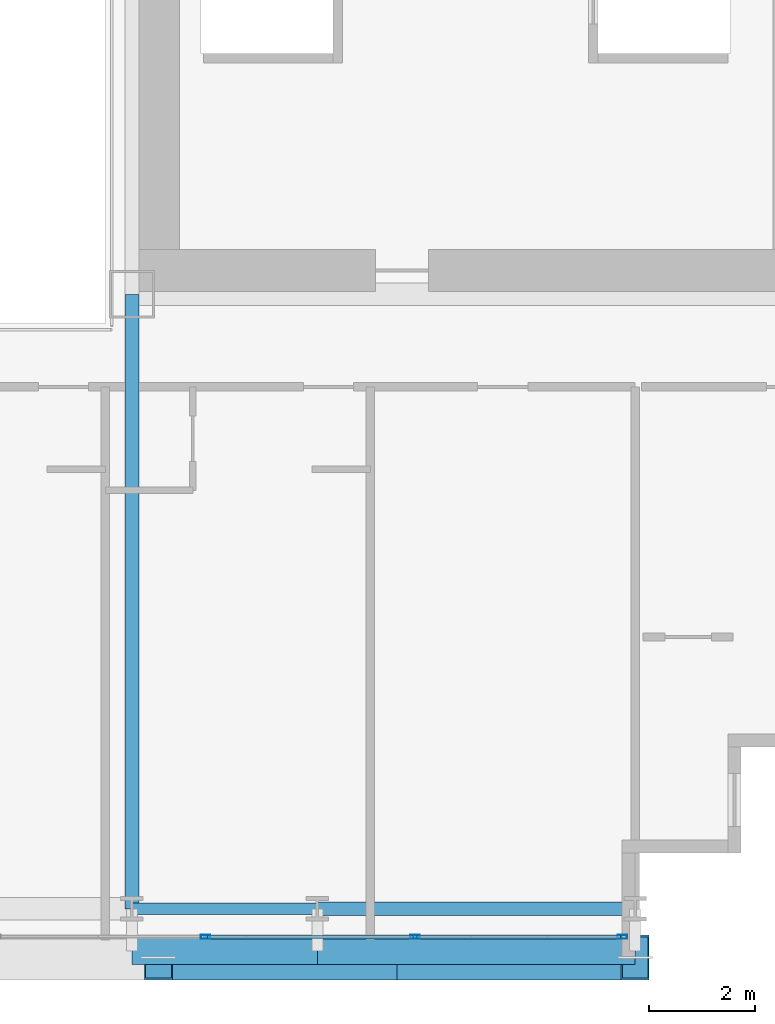
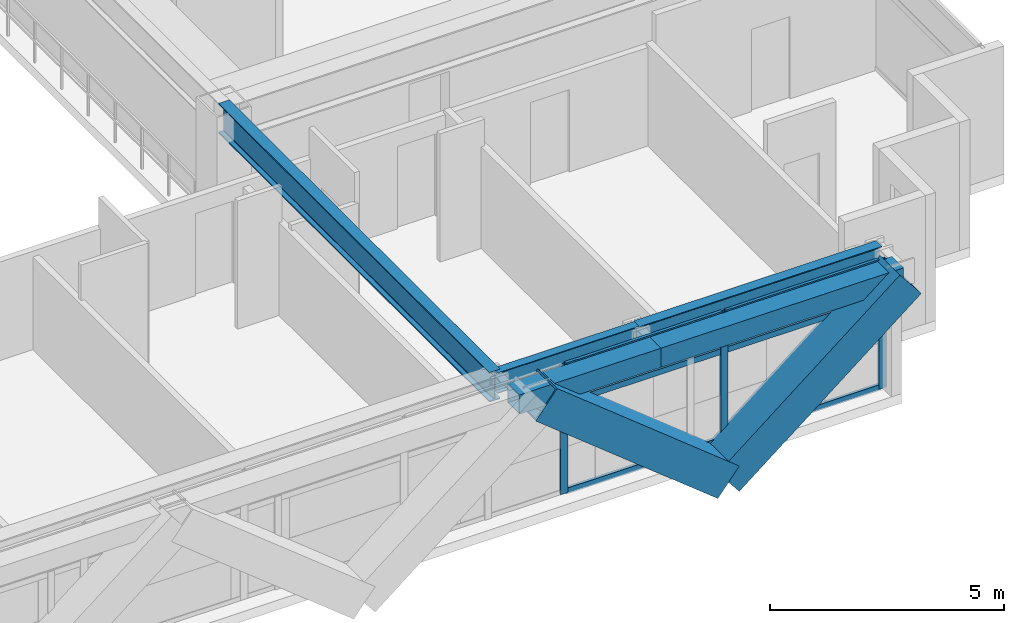
# One storey, part 10 of 38: 11 members, 5 beams, 1 element without a shape of its own.
"""IFC4 building model written with IfcOpenShell, lengths in metres."""

from ifc_helpers import new_model, si_unit, direction, frame, origin, origin_2d, place, context, subcontext, project, spatial, hollow_rectangle, i_section, extrude, source, transform, mapped, material, layer, layer_set, material_profile, profile_set, type_object, element, aggregate, save


model = new_model("IFC4")

# Units and contexts
model_context = context("Model", 3, precision=1e-05, world=origin(), true_north=direction((0.0, 1.0)))
body_context = subcontext(model_context, "Body", "Model", "MODEL_VIEW")
ifc_project = project(units=[si_unit("LENGTHUNIT", "METRE"), si_unit("AREAUNIT", "SQUARE_METRE"), si_unit("VOLUMEUNIT", "CUBIC_METRE"), si_unit("PLANEANGLEUNIT", "RADIAN"), si_unit("MASSUNIT", "GRAM", prefix="KILO")], contexts=[model_context])

# Site, building, storey
site_placement = place(None, origin())
site = spatial("IfcSite", under=ifc_project, at=site_placement, CompositionType="ELEMENT")
building_placement = place(site_placement, origin())
building = spatial("IfcBuilding", under=site, at=building_placement, Name="Ocotamira Hotel", CompositionType="ELEMENT")
storey_placement = place(building_placement, frame((0.0, 0.0, 74.39990234375)))
storey = spatial("IfcBuildingStorey", under=building, at=storey_placement, Name="L18", CompositionType="ELEMENT", Elevation=74.39990234375)

# Beams
ifc_material_1 = material(Name="Steel ASTM A992 Grade 50", Category="steel")
ifc_material_profile_1 = material_profile(ifc_material_1, i_section(OverallWidth=0.256103515625, OverallDepth=0.693115234375, WebThickness=0.014404296875, FlangeThickness=0.023681640625, FilletRadius=0.01611328125, at=origin_2d()), Name="W27X114")
ifc_profile_set_1 = profile_set([ifc_material_profile_1], Name="Steel ASTM A992 Grade 50")
beam_type_1 = type_object("IfcBeamType", Name="BM-PRIM-W27X114", PredefinedType="BEAM", material=ifc_profile_set_1)
shared_shape_1 = source(origin(), body_context, "Body", "SweptSolid", [
    extrude(i_section(OverallWidth=0.256103515625, OverallDepth=0.693115234375, WebThickness=0.014404296875, FlangeThickness=0.023681640625, FilletRadius=0.01611328125, at=origin_2d()), origin(), (0.0, 0.0, 1.0), 6.0),
])
beam_1_placement = place(storey_placement, frame((44.0, 2.949951171875, 3.003662109375), z_axis=(1.0, 0.0, 0.0), x_axis=(0.0, 1.0, 0.0)))
element("IfcBeam", 1, at=beam_1_placement, inside=storey, type_object=beam_type_1, Name="L18 Girder Y2.95 X44-50", PredefinedType="BEAM", context=body_context, shape_type="MappedRepresentation", body=[
    mapped(shared_shape_1, transform((0.0, 0.0, 0.0), scale=1.0)),
])
ifc_material_profile_2 = material_profile(ifc_material_1, i_section(OverallWidth=0.2099609375, OverallDepth=0.537109375, WebThickness=0.010986328125, FlangeThickness=0.017333984375, FilletRadius=0.012939453125, at=origin_2d()), Name="W21X68")
ifc_profile_set_2 = profile_set([ifc_material_profile_2], Name="Steel ASTM A992 Grade 50")
beam_type_2 = type_object("IfcBeamType", Name="BM-SEC-W21X68", PredefinedType="JOIST", material=ifc_profile_set_2)
shared_shape_2 = source(origin(), body_context, "Body", "SweptSolid", [
    extrude(i_section(OverallWidth=0.2099609375, OverallDepth=0.537109375, WebThickness=0.010986328125, FlangeThickness=0.017333984375, FilletRadius=0.012939453125, at=origin_2d()), origin(), (0.0, 0.0, 1.0), 3.5),
])
beam_2_placement = place(storey_placement, frame((40.5, 2.949951171875, 3.08154296875), z_axis=(1.0, 0.0, 0.0), x_axis=(0.0, 1.0, 0.0)))
element("IfcBeam", 2, at=beam_2_placement, inside=storey, type_object=beam_type_2, Name="L18 Girder Y2.95 X40.5-44", PredefinedType="JOIST", context=body_context, shape_type="MappedRepresentation", body=[
    mapped(shared_shape_2, transform((0.0, 0.0, 0.0), scale=1.0)),
])
ifc_material_profile_3 = material_profile(ifc_material_1, i_section(OverallWidth=0.26611328125, OverallDepth=0.779052734375, WebThickness=0.0166015625, FlangeThickness=0.030029296875, FilletRadius=0.01806640625, at=origin_2d()), Name="W30X148")
ifc_profile_set_3 = profile_set([ifc_material_profile_3], Name="Steel ASTM A992 Grade 50")
beam_type_3 = type_object("IfcBeamType", Name="BM-GIRD-W30X148", PredefinedType="BEAM", material=ifc_profile_set_3)
shared_shape_3 = source(origin(), body_context, "Body", "SweptSolid", [
    extrude(i_section(OverallWidth=0.26611328125, OverallDepth=0.779052734375, WebThickness=0.0166015625, FlangeThickness=0.030029296875, FilletRadius=0.01806640625, at=origin_2d()), origin(), (0.0, 0.0, 1.0), 11.60009765625),
])
beam_3_placement = place(storey_placement, frame((40.5, 2.949951171875, 2.960693359375), z_axis=(0.0, 1.0, 0.0), x_axis=(-1.0, 0.0, 0.0)))
element("IfcBeam", 3, at=beam_3_placement, inside=storey, type_object=beam_type_3, Name="L18 Beam X40.5 Y2.95-14.55", PredefinedType="BEAM", context=body_context, shape_type="MappedRepresentation", body=[
    mapped(shared_shape_3, transform((0.0, 0.0, 0.0), scale=1.0)),
])
ifc_material_2 = material(Name="Steel ASTM A500 Grade C", Category="steel")
ifc_material_profile_4 = material_profile(ifc_material_2, hollow_rectangle(XDim=0.5, YDim=0.5, WallThickness=0.02001953125, at=origin_2d()), Name="HSS500X500X20")
ifc_profile_set_4 = profile_set([ifc_material_profile_4], Name="Steel ASTM A500 Grade C")
beam_type_4 = type_object("IfcBeamType", Name="BM-SPAN-HSS500", PredefinedType="USERDEFINED", material=ifc_profile_set_4)
shared_shape_4 = source(origin(), body_context, "Body", "SweptSolid", [
    extrude(hollow_rectangle(XDim=0.5, YDim=0.5, WallThickness=0.02001953125, at=origin_2d()), origin(), (0.0, 0.0, 1.0), 6.0),
])
beam_4_placement = place(storey_placement, frame((44.0, 2.14990234375, 3.10009765625), z_axis=(1.0, 0.0, 0.0), x_axis=(0.0, 1.0, 0.0)))
element("IfcBeam", 4, at=beam_4_placement, inside=storey, type_object=beam_type_4, Name="L18 Edge Spandrel S X44-50", ObjectType="SPANDREL", PredefinedType="USERDEFINED", context=body_context, shape_type="MappedRepresentation", body=[
    mapped(shared_shape_4, transform((0.0, 0.0, 0.0), scale=1.0)),
])
shared_shape_5 = source(origin(), body_context, "Body", "SweptSolid", [
    extrude(hollow_rectangle(XDim=0.5, YDim=0.5, WallThickness=0.02001953125, at=origin_2d()), origin(), (0.0, 0.0, 1.0), 3.5),
])
beam_5_placement = place(storey_placement, frame((40.5, 2.14990234375, 3.10009765625), z_axis=(1.0, 0.0, 0.0), x_axis=(0.0, 1.0, 0.0)))
element("IfcBeam", 5, at=beam_5_placement, inside=storey, type_object=beam_type_4, Name="L18 Edge Spandrel S X40.5-44", ObjectType="SPANDREL", PredefinedType="USERDEFINED", context=body_context, shape_type="MappedRepresentation", body=[
    mapped(shared_shape_5, transform((0.0, 0.0, 0.0), scale=1.0)),
])

# Members
ifc_material_3 = material(Name="Pale-metal coated steel ASTM A913 Grade 65", Category="steel")
ifc_material_profile_5 = material_profile(ifc_material_3, hollow_rectangle(XDim=0.85009765625, YDim=0.85009765625, WallThickness=0.035888671875, at=origin_2d()), Name="BOX850X850X36")
ifc_profile_set_5 = profile_set([ifc_material_profile_5], Name="Pale-metal coated steel ASTM A913 Grade 65")
member_type_1 = type_object("IfcMemberType", Name="MEM-EXO-BOX850", PredefinedType="BRACE", material=ifc_profile_set_5)
shared_shape_6 = source(origin(), body_context, "Body", "SweptSolid", [
    extrude(hollow_rectangle(XDim=0.85009765625, YDim=0.85009765625, WallThickness=0.035888671875, at=origin_2d()), origin(), (0.0, 0.0, 1.0), 5.762939453125),
])
for number, where, z_axis, x_axis, name in (
    (6, (45.5, 2.030029296875, -0.5), (-0.780860543151, 0.0, 0.624705380279), (0.0, -1.0, 0.0), "L18 Exoskeleton Diagrid S3.1"),
    (7, (45.5, 2.030029296875, -0.5), (0.780860543151, 0.0, 0.624705380279), (0.0, 1.0, 0.0), "L18 Exoskeleton Diagrid S3.2"),
):
    element("IfcMember", number, at=place(storey_placement, frame(where, z_axis=z_axis, x_axis=x_axis)), inside=storey, type_object=member_type_1, Name=name, PredefinedType="BRACE", context=body_context, shape_type="MappedRepresentation", body=[
        mapped(shared_shape_6, transform((0.0, 0.0, 0.0), scale=1.0)),
    ])

# Curtain wall, members
ifc_material_4 = material(Name="Anodised pale-metal aluminium and solar glass", Category="aluminium")
ifc_layer = layer(ifc_material_4, 0.179931640625)
ifc_layer_set = layer_set([ifc_layer], Name="Anodised pale-metal aluminium and solar glass")
curtain_wall_type = type_object("IfcCurtainWallType", Name="CW-SYS2-Z1", PredefinedType="NOTDEFINED", material=ifc_layer_set)
curtain_wall_placement = place(storey_placement, origin())
curtain_wall = element("IfcCurtainWall", 8, at=curtain_wall_placement, inside=storey, type_object=curtain_wall_type, Name="L18 Curtain Wall CW-2 CW-L18-S1", PredefinedType="NOTDEFINED")
ifc_material_5 = material(Name="Anodised pale-metal aluminium 6063-T6", Category="aluminium")
ifc_material_profile_6 = material_profile(ifc_material_5, hollow_rectangle(XDim=0.074951171875, YDim=0.14990234375, WallThickness=0.006103515625, at=origin_2d()), Name="HSS150X75X6")
ifc_profile_set_6 = profile_set([ifc_material_profile_6], Name="Anodised pale-metal aluminium 6063-T6")
member_type_2 = type_object("IfcMemberType", Name="CWT-150X75", PredefinedType="USERDEFINED", material=ifc_profile_set_6)
shared_shape_7 = source(origin(), body_context, "Body", "SweptSolid", [
    extrude(hollow_rectangle(XDim=0.074951171875, YDim=0.14990234375, WallThickness=0.006103515625, at=origin_2d()), origin(), (0.0, 0.0, 1.0), 3.83544921875),
])
member_1_placement = place(storey_placement, frame((45.884521484375, 2.419921875, 0.03759765625), z_axis=(1.0, 0.0, 0.0), x_axis=(0.0, 1.0, 0.0)))
member_1 = element("IfcMember", 9, at=member_1_placement, type_object=member_type_2, Name="CW-2 transom 9.1", ObjectType="TRANSOM", PredefinedType="USERDEFINED", context=body_context, shape_type="MappedRepresentation", body=[
    mapped(shared_shape_7, transform((0.0, 0.0, 0.0), scale=1.0)),
])
member_2_placement = place(storey_placement, frame((45.884521484375, 2.419921875, 2.35009765625), z_axis=(1.0, 0.0, 0.0), x_axis=(0.0, 1.0, 0.0)))
member_2 = element("IfcMember", 10, at=member_2_placement, type_object=member_type_2, Name="CW-2 transom 9.2", ObjectType="TRANSOM", PredefinedType="USERDEFINED", context=body_context, shape_type="MappedRepresentation", body=[
    mapped(shared_shape_7, transform((0.0, 0.0, 0.0), scale=1.0)),
])
member_3_placement = place(storey_placement, frame((45.884521484375, 2.419921875, 3.3125), z_axis=(1.0, 0.0, 0.0), x_axis=(0.0, 1.0, 0.0)))
member_3 = element("IfcMember", 11, at=member_3_placement, type_object=member_type_2, Name="CW-2 transom 9.3", ObjectType="TRANSOM", PredefinedType="USERDEFINED", context=body_context, shape_type="MappedRepresentation", body=[
    mapped(shared_shape_7, transform((0.0, 0.0, 0.0), scale=1.0)),
])
shared_shape_8 = source(origin(), body_context, "Body", "SweptSolid", [
    extrude(hollow_rectangle(XDim=0.074951171875, YDim=0.14990234375, WallThickness=0.006103515625, at=origin_2d()), origin(), (0.0, 0.0, 1.0), 3.87548828125),
])
member_4_placement = place(storey_placement, frame((41.928955078125, 2.419921875, 0.03759765625), z_axis=(1.0, 0.0, 0.0), x_axis=(0.0, 1.0, 0.0)))
member_4 = element("IfcMember", 12, at=member_4_placement, type_object=member_type_2, Name="CW-2 transom 8.1", ObjectType="TRANSOM", PredefinedType="USERDEFINED", context=body_context, shape_type="MappedRepresentation", body=[
    mapped(shared_shape_8, transform((0.0, 0.0, 0.0), scale=1.0)),
])
member_5_placement = place(storey_placement, frame((41.928955078125, 2.419921875, 2.35009765625), z_axis=(1.0, 0.0, 0.0), x_axis=(0.0, 1.0, 0.0)))
member_5 = element("IfcMember", 13, at=member_5_placement, type_object=member_type_2, Name="CW-2 transom 8.2", ObjectType="TRANSOM", PredefinedType="USERDEFINED", context=body_context, shape_type="MappedRepresentation", body=[
    mapped(shared_shape_8, transform((0.0, 0.0, 0.0), scale=1.0)),
])
member_6_placement = place(storey_placement, frame((41.928955078125, 2.419921875, 3.3125), z_axis=(1.0, 0.0, 0.0), x_axis=(0.0, 1.0, 0.0)))
member_6 = element("IfcMember", 14, at=member_6_placement, type_object=member_type_2, Name="CW-2 transom 8.3", ObjectType="TRANSOM", PredefinedType="USERDEFINED", context=body_context, shape_type="MappedRepresentation", body=[
    mapped(shared_shape_8, transform((0.0, 0.0, 0.0), scale=1.0)),
])
ifc_material_profile_7 = material_profile(ifc_material_5, hollow_rectangle(XDim=0.080078125, YDim=0.179931640625, WallThickness=0.006103515625, at=origin_2d()), Name="HSS180X80X6")
ifc_profile_set_7 = profile_set([ifc_material_profile_7], Name="Anodised pale-metal aluminium 6063-T6")
member_type_3 = type_object("IfcMemberType", Name="CWM-180X75", PredefinedType="MULLION", material=ifc_profile_set_7)
shared_shape_9 = source(origin(), body_context, "Body", "SweptSolid", [
    extrude(hollow_rectangle(XDim=0.080078125, YDim=0.179931640625, WallThickness=0.006103515625, at=origin_2d()), origin(), (0.0, 0.0, 1.0), 3.35009765625),
])
member_7_placement = place(storey_placement, frame((41.888916015625, 2.419921875, 0.0), z_axis=(0.0, 0.0, 1.0), x_axis=(0.0, 1.0, 0.0)))
member_7 = element("IfcMember", 15, at=member_7_placement, type_object=member_type_3, Name="CW-2 mullion 8", PredefinedType="MULLION", context=body_context, shape_type="MappedRepresentation", body=[
    mapped(shared_shape_9, transform((0.0, 0.0, 0.0), scale=1.0)),
])
member_8_placement = place(storey_placement, frame((45.844482421875, 2.419921875, 0.0), z_axis=(0.0, 0.0, 1.0), x_axis=(0.0, 1.0, 0.0)))
member_8 = element("IfcMember", 16, at=member_8_placement, type_object=member_type_3, Name="CW-2 mullion 9", PredefinedType="MULLION", context=body_context, shape_type="MappedRepresentation", body=[
    mapped(shared_shape_9, transform((0.0, 0.0, 0.0), scale=1.0)),
])
member_9_placement = place(storey_placement, frame((49.760009765625, 2.419921875, 0.0), z_axis=(0.0, 0.0, 1.0), x_axis=(0.0, 1.0, 0.0)))
member_9 = element("IfcMember", 17, at=member_9_placement, type_object=member_type_3, Name="CW-2 mullion 10", PredefinedType="MULLION", context=body_context, shape_type="MappedRepresentation", body=[
    mapped(shared_shape_9, transform((0.0, 0.0, 0.0), scale=1.0)),
])
aggregate(curtain_wall, [member_7, member_8, member_9, member_4, member_5, member_6, member_1, member_2, member_3])

save(model, "model.ifc")
